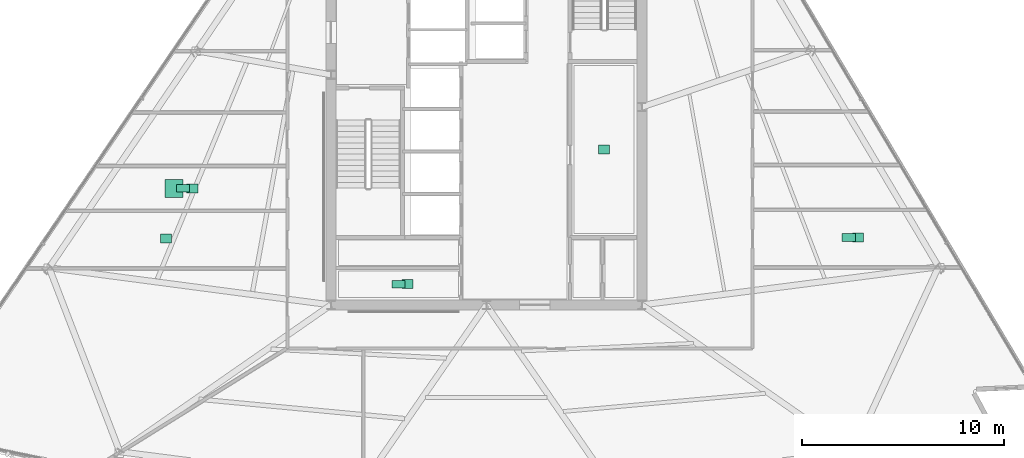
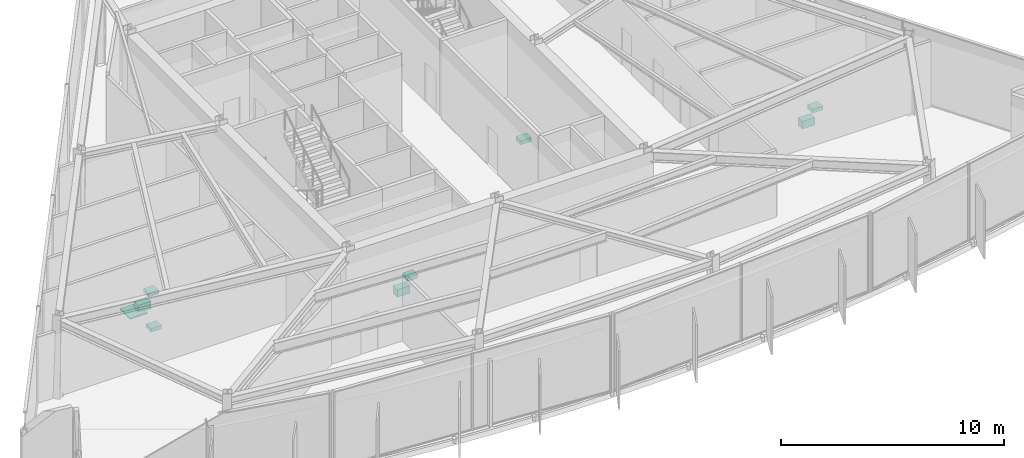
# One storey, part 14 of 14: 9 sanitary terminals.
"""IFC4 building model written with IfcOpenShell, lengths in metres."""

from ifc_helpers import new_model, si_unit, direction, frame, origin, origin_2d, place, context, subcontext, project, spatial, rectangle, extrude, material, type_object, element, save


model = new_model("IFC4")

# Units and contexts
model_context = context("Model", 3, precision=1e-05, world=origin(), true_north=direction((0.0, 1.0)))
body_context = subcontext(model_context, "Body", "Model", "MODEL_VIEW")
ifc_project = project(units=[si_unit("LENGTHUNIT", "METRE"), si_unit("AREAUNIT", "SQUARE_METRE"), si_unit("VOLUMEUNIT", "CUBIC_METRE"), si_unit("PLANEANGLEUNIT", "RADIAN"), si_unit("MASSUNIT", "GRAM", prefix="KILO")], contexts=[model_context])

# Site, building, storey
site_placement = place(None, origin())
site = spatial("IfcSite", under=ifc_project, at=site_placement, CompositionType="ELEMENT")
building_placement = place(site_placement, origin())
building = spatial("IfcBuilding", under=site, at=building_placement, Name="Savorim Split Tower", CompositionType="ELEMENT")
storey_placement = place(building_placement, frame((0.0, 0.0, 134.10009765625)))
storey = spatial("IfcBuildingStorey", under=building, at=storey_placement, Name="L35", CompositionType="ELEMENT", Elevation=134.10009765625)

# Sanitary terminals
ifc_material = material(Name="Vitreous China Sanitaryware")
sanitary_terminal_type_1 = type_object("IfcSanitaryTerminalType", Name="SAN-SHW-900", PredefinedType="SHOWER", material=ifc_material)
sanitary_terminal_placement = place(storey_placement, frame((-15.468017578125, -3.62646484375, -0.000244140625), z_axis=(0.0, 0.0, 1.0), x_axis=(1.0, 0.0, 0.0)))
element("IfcSanitaryTerminal", 1, at=sanitary_terminal_placement, inside=storey, type_object=sanitary_terminal_type_1, Name="L35 Shared Bathroom Shower", PredefinedType="SHOWER", context=body_context, shape_type="SweptSolid", body=[
    extrude(rectangle(XDim=0.89990234375, YDim=0.89990234375, at=origin_2d()), origin(), (0.0, 0.0, 1.0), 0.080078125),
])
sanitary_terminal_type_2 = type_object("IfcSanitaryTerminalType", Name="SAN-WC-PAN", PredefinedType="TOILETPAN", material=ifc_material)
for number, where, z_axis, x_axis, name in (
    (2, (-4.35009765625, -8.3701171875, 0.0), (0.0, 0.0, 1.0), (1.0, 0.0, 0.0), "L35 Public WC WC Pan"),
    (3, (-15.01806640625, -3.62646484375, 0.0), (0.0, 0.0, 1.0), (1.0, 0.0, 0.0), "L35 Shared Bathroom WC Pan"),
    (4, (17.949951171875, -6.0595703125, 0.0), (0.0, 0.0, 1.0), (1.0, 0.0, 0.0), "L35 Accessible WC WC Pan"),
):
    element("IfcSanitaryTerminal", number, at=place(storey_placement, frame(where, z_axis=z_axis, x_axis=x_axis)), inside=storey, type_object=sanitary_terminal_type_2, Name=name, PredefinedType="TOILETPAN", context=body_context, shape_type="SweptSolid", body=[
        extrude(rectangle(XDim=0.64990234375, YDim=0.3798828125, at=origin_2d()), origin(), (0.0, 0.0, 1.0), 0.419921875),
    ])
sanitary_terminal_type_3 = type_object("IfcSanitaryTerminalType", Name="SAN-WHB-550", PredefinedType="WASHHANDBASIN", material=ifc_material)
for number, where, z_axis, x_axis, name in (
    (5, (5.824951171875, -1.699951171875, 0.75), (0.0, 0.0, 1.0), (1.0, 0.0, 0.0), "L35 Community Laundry Room Utility Sink"),
    (6, (-3.89990234375, -8.3701171875, 0.7197265625), (0.0, 0.0, 1.0), (1.0, 0.0, 0.0), "L35 Public WC Washhand Basin"),
    (7, (-14.568115234375, -3.62646484375, 0.7197265625), (0.0, 0.0, 1.0), (1.0, 0.0, 0.0), "L35 Shared Bathroom Washhand Basin"),
    (8, (-15.8623046875, -6.1083984375, 0.75), (0.0, 0.0, 1.0), (1.0, 0.0, 0.0), "L35 Communal Kitchen Utility Sink"),
    (9, (18.39990234375, -6.0595703125, 0.7197265625), (0.0, 0.0, 1.0), (1.0, 0.0, 0.0), "L35 Accessible WC Washhand Basin"),
):
    element("IfcSanitaryTerminal", number, at=place(storey_placement, frame(where, z_axis=z_axis, x_axis=x_axis)), inside=storey, type_object=sanitary_terminal_type_3, Name=name, PredefinedType="WASHHANDBASIN", context=body_context, shape_type="SweptSolid", body=[
        extrude(rectangle(XDim=0.550048828125, YDim=0.449951171875, at=origin_2d()), origin(), (0.0, 0.0, 1.0), 0.199951171875),
    ])

save(model, "model.ifc")
